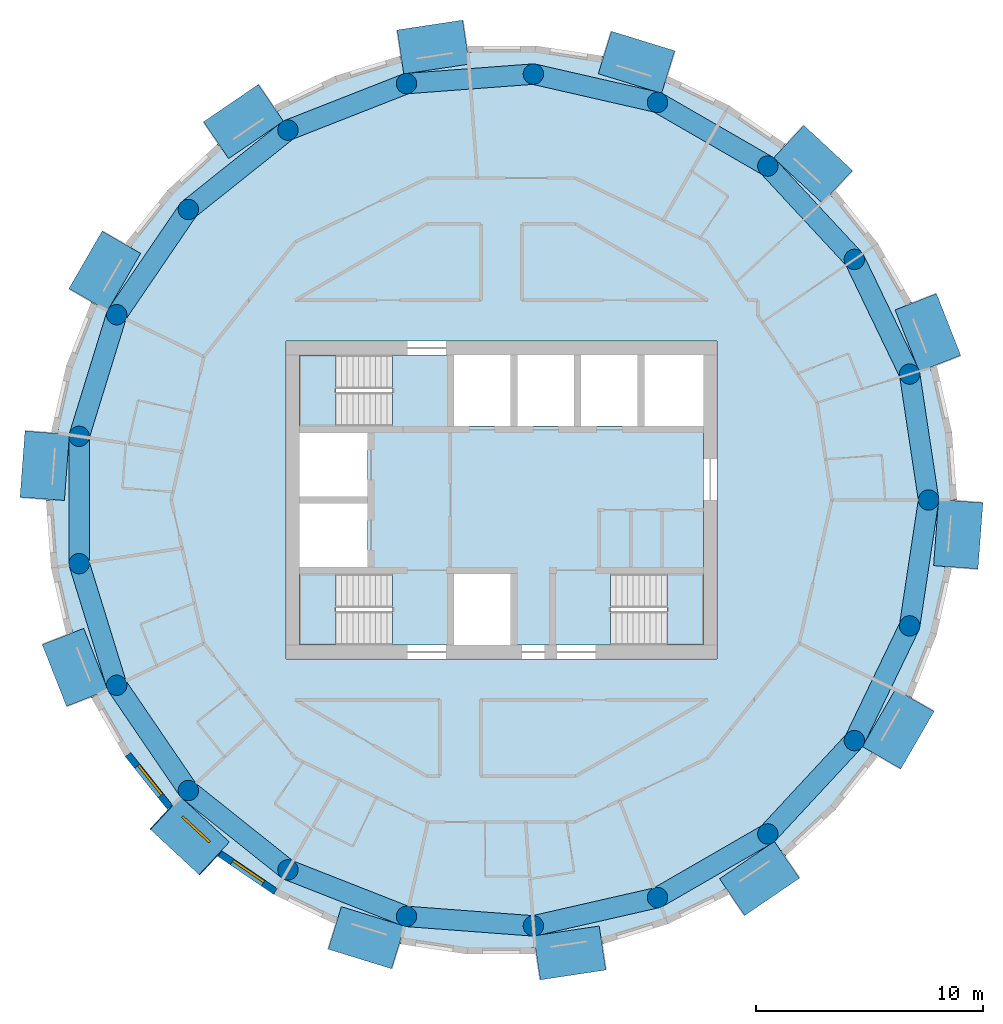
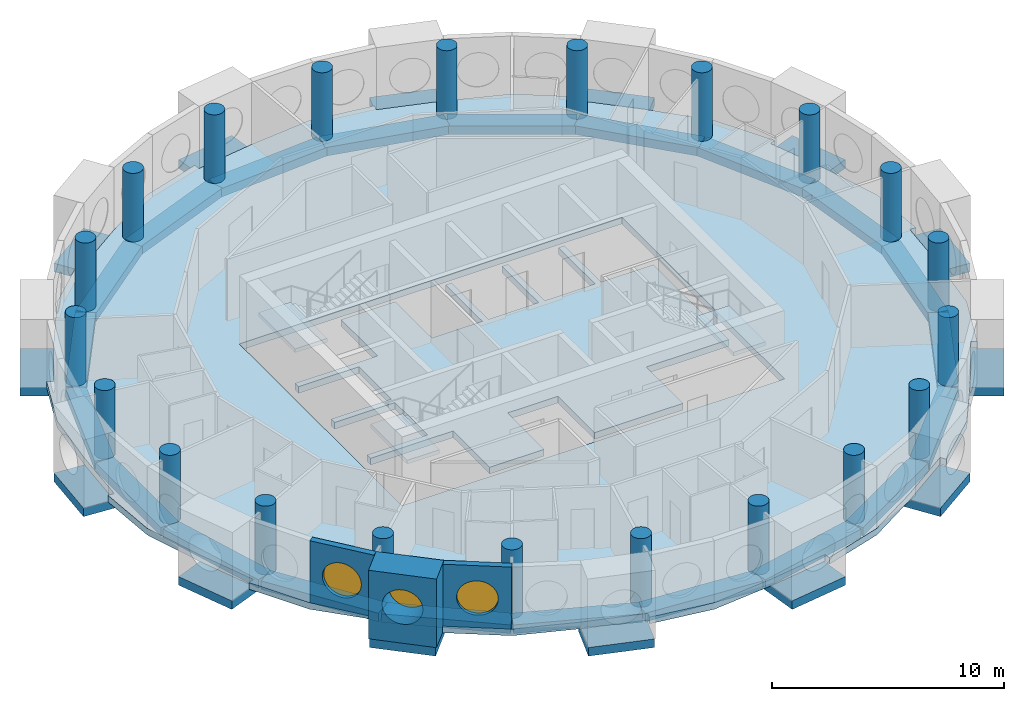
# One storey, part 1 of 12: 35 beams, 21 columns, 5 slabs, 3 walls, 3 windows, 3 openings, 3 elements without a shape of their own.
"""IFC4 building model written with IfcOpenShell, lengths in metres."""

from ifc_helpers import new_model, si_unit, direction, frame, frame_2d, origin, origin_2d, place, context, subcontext, project, spatial, polyline, rectangle, circle, outline, extrude, material, layer, layer_set, material_profile, profile_set, type_object, element, fill, aggregate, save


model = new_model("IFC4")

# Units and contexts
model_context = context("Model", 3, precision=1e-05, world=origin(), true_north=direction((0.0, 1.0)))
body_context = subcontext(model_context, "Body", "Model", "MODEL_VIEW")
ifc_project = project(units=[si_unit("LENGTHUNIT", "METRE"), si_unit("AREAUNIT", "SQUARE_METRE"), si_unit("VOLUMEUNIT", "CUBIC_METRE"), si_unit("PLANEANGLEUNIT", "RADIAN"), si_unit("MASSUNIT", "GRAM", prefix="KILO")], contexts=[model_context])

# Site, building, storey
site_placement = place(None, origin())
site = spatial("IfcSite", under=ifc_project, at=site_placement, CompositionType="ELEMENT")
building_placement = place(site_placement, origin())
building = spatial("IfcBuilding", under=site, at=building_placement, Name="Tracery Tower", CompositionType="ELEMENT")
storey_placement = place(building_placement, frame((0.0, 0.0, 291.0)))
storey = spatial("IfcBuildingStorey", under=building, at=storey_placement, Name="L75", CompositionType="ELEMENT", Elevation=291.0)

# Columns
ifc_material_1 = material(Name="Concrete C40/50", Category="concrete")
ifc_material_profile_1 = material_profile(ifc_material_1, circle(Radius=0.449951171875, at=origin_2d()), Name="RC D900")
ifc_profile_set_1 = profile_set([ifc_material_profile_1], Name="Concrete C40/50")
column_type = type_object("IfcColumnType", Name="Ring 2 column 900", PredefinedType="COLUMN", material=ifc_profile_set_1)
for number, where, z_axis, x_axis, name in (
    (1, (18.822265625, 0.0, 0.0), (0.0, 0.0, 1.0), (1.0, 0.0, 0.0), "Ring 2 column 00 at L75"),
    (2, (17.986083984375, 5.5478515625, 0.0), (0.0, 0.0, 1.0), (1.0, 0.0, 0.0), "Ring 2 column 01 at L75"),
    (3, (15.551513671875, 10.602783203125, 0.0), (0.0, 0.0, 1.0), (1.0, 0.0, 0.0), "Ring 2 column 02 at L75"),
    (4, (11.7353515625, 14.7158203125, 0.0), (0.0, 0.0, 1.0), (1.0, 0.0, 0.0), "Ring 2 column 03 at L75"),
    (5, (6.87646484375, 17.52099609375, 0.0), (0.0, 0.0, 1.0), (1.0, 0.0, 0.0), "Ring 2 column 04 at L75"),
    (6, (1.406494140625, 18.76953125, 0.0), (0.0, 0.0, 1.0), (1.0, 0.0, 0.0), "Ring 2 column 05 at L75"),
    (7, (-4.188232421875, 18.350341796875, 0.0), (0.0, 0.0, 1.0), (1.0, 0.0, 0.0), "Ring 2 column 06 at L75"),
    (8, (-9.4111328125, 16.300537109375, 0.0), (0.0, 0.0, 1.0), (1.0, 0.0, 0.0), "Ring 2 column 07 at L75"),
    (9, (-13.797607421875, 12.802490234375, 0.0), (0.0, 0.0, 1.0), (1.0, 0.0, 0.0), "Ring 2 column 08 at L75"),
    (10, (-16.958251953125, 8.16650390625, 0.0), (0.0, 0.0, 1.0), (1.0, 0.0, 0.0), "Ring 2 column 09 at L75"),
    (11, (-18.612060546875, 2.805419921875, 0.0), (0.0, 0.0, 1.0), (1.0, 0.0, 0.0), "Ring 2 column 10 at L75"),
    (12, (-18.612060546875, -2.805419921875, 0.0), (0.0, 0.0, 1.0), (1.0, 0.0, 0.0), "Ring 2 column 11 at L75"),
    (13, (-16.958251953125, -8.166748046875, 0.0), (0.0, 0.0, 1.0), (1.0, 0.0, 0.0), "Ring 2 column 12 at L75"),
    (14, (-13.797607421875, -12.80224609375, 0.0), (0.0, 0.0, 1.0), (1.0, 0.0, 0.0), "Ring 2 column 13 at L75"),
    (15, (-9.4111328125, -16.300537109375, 0.0), (0.0, 0.0, 1.0), (1.0, 0.0, 0.0), "Ring 2 column 14 at L75"),
    (16, (-4.188232421875, -18.350341796875, 0.0), (0.0, 0.0, 1.0), (1.0, 0.0, 0.0), "Ring 2 column 15 at L75"),
    (17, (1.406494140625, -18.76953125, 0.0), (0.0, 0.0, 1.0), (1.0, 0.0, 0.0), "Ring 2 column 16 at L75"),
    (18, (6.87646484375, -17.52099609375, 0.0), (0.0, 0.0, 1.0), (1.0, 0.0, 0.0), "Ring 2 column 17 at L75"),
    (19, (11.7353515625, -14.7158203125, 0.0), (0.0, 0.0, 1.0), (1.0, 0.0, 0.0), "Ring 2 column 18 at L75"),
    (20, (15.551513671875, -10.602783203125, 0.0), (0.0, 0.0, 1.0), (1.0, 0.0, 0.0), "Ring 2 column 19 at L75"),
    (21, (17.986083984375, -5.5478515625, 0.0), (0.0, 0.0, 1.0), (1.0, 0.0, 0.0), "Ring 2 column 20 at L75"),
):
    element("IfcColumn", number, at=place(storey_placement, frame(where, z_axis=z_axis, x_axis=x_axis)), inside=storey, type_object=column_type, Name=name, PredefinedType="COLUMN", context=body_context, shape_type="SweptSolid", body=[
        extrude(circle(Radius=0.449951171875, at=origin_2d()), origin(), (0.0, 0.0, 1.0), 3.60009765625),
    ])

# Beams
ifc_material_2 = material(Name="Concrete C40/50", Category="concrete")
ifc_material_profile_2 = material_profile(ifc_material_2, rectangle(XDim=1.9599609375, YDim=0.449951171875, at=origin_2d()), Name="RC 1960x450")
ifc_profile_set_2 = profile_set([ifc_material_profile_2], Name="Concrete C40/50")
beam_type_1 = type_object("IfcBeamType", Name="Bay seat beam 1960 x 450", PredefinedType="BEAM", material=ifc_profile_set_2)
for number, where, z_axis, x_axis, name in (
    (22, (19.323974609375, 6.015625, -0.574951171875), (-0.365285021376, 0.930895726254, 0.0), (-0.930895726254, -0.365285021376, 0.0), "Bay seat beam 3 at L75"),
    (23, (14.80029296875, 13.804443359375, -0.574951171875), (-0.733073344016, 0.680149595526, 0.0), (-0.680149595526, -0.733073344016, 0.0), "Bay seat beam 6 at L75"),
):
    element("IfcBeam", number, at=place(storey_placement, frame(where, z_axis=z_axis, x_axis=x_axis)), inside=storey, type_object=beam_type_1, Name=name, PredefinedType="BEAM", context=body_context, shape_type="SweptSolid", body=[
        extrude(rectangle(XDim=1.9599609375, YDim=0.449951171875, at=origin_2d()), origin(), (0.0, 0.0, 1.0), 2.920166015625),
    ])
for number, where, z_axis, x_axis, name in (
    (24, (7.344970703125, 18.85888671875, -0.574951171875), (-0.955550927928, 0.294826091343, 0.0), (-0.294826091343, -0.955550927928, 0.0), "Bay seat beam 9 at L75"),
    (25, (-1.56494140625, 20.17822265625, -0.574951171875), (-0.988824450672, -0.149084559069, 0.0), (0.149084559069, -0.988824450672, 0.0), "Bay seat beam 12 at L75"),
):
    element("IfcBeam", number, at=place(storey_placement, frame(where, z_axis=z_axis, x_axis=x_axis)), inside=storey, type_object=beam_type_1, Name=name, PredefinedType="BEAM", context=body_context, shape_type="SweptSolid", body=[
        extrude(rectangle(XDim=1.9599609375, YDim=0.449951171875, at=origin_2d()), origin(), (0.0, 0.0, 1.0), 2.919921875),
    ])
beam_1_placement = place(storey_placement, frame((-10.164794921875, 17.5009765625, -0.574951171875), z_axis=(-0.826243261144, -0.56331347704, 0.0), x_axis=(0.56331347704, -0.826243261144, 0.0)))
element("IfcBeam", 26, at=beam_1_placement, inside=storey, type_object=beam_type_1, Name="Bay seat beam 15 at L75", PredefinedType="BEAM", context=body_context, shape_type="SweptSolid", body=[
    extrude(rectangle(XDim=1.9599609375, YDim=0.449951171875, at=origin_2d()), origin(), (0.0, 0.0, 1.0), 2.920166015625),
])
for number, where, z_axis, x_axis, name in (
    (27, (-16.751708984375, 11.357421875, -0.574951171875), (-0.49998782916, -0.866032430508, 0.0), (0.866032430508, -0.49998782916, 0.0), "Bay seat beam 18 at L75"),
    (28, (-20.0205078125, 2.96435546875, -0.574951171875), (-0.074746299058, -0.997202582617, 0.0), (0.997202582617, -0.074746299058, 0.0), "Bay seat beam 21 at L75"),
):
    element("IfcBeam", number, at=place(storey_placement, frame(where, z_axis=z_axis, x_axis=x_axis)), inside=storey, type_object=beam_type_1, Name=name, PredefinedType="BEAM", context=body_context, shape_type="SweptSolid", body=[
        extrude(rectangle(XDim=1.9599609375, YDim=0.449951171875, at=origin_2d()), origin(), (0.0, 0.0, 1.0), 2.919921875),
    ])
for number, where, z_axis, x_axis, name in (
    (29, (-19.323974609375, -6.015625, -0.574951171875), (0.365285021376, -0.930895726254, 0.0), (0.930895726254, 0.365285021376, 0.0), "Bay seat beam 24 at L75"),
    (30, (-14.80029296875, -13.804443359375, -0.574951171875), (0.733073344016, -0.680149595526, 0.0), (0.680149595526, 0.733073344016, 0.0), "Bay seat beam 27 at L75"),
):
    element("IfcBeam", number, at=place(storey_placement, frame(where, z_axis=z_axis, x_axis=x_axis)), inside=storey, type_object=beam_type_1, Name=name, PredefinedType="BEAM", context=body_context, shape_type="SweptSolid", body=[
        extrude(rectangle(XDim=1.9599609375, YDim=0.449951171875, at=origin_2d()), origin(), (0.0, 0.0, 1.0), 2.920166015625),
    ])
for number, where, z_axis, x_axis, name in (
    (31, (-7.344970703125, -18.85888671875, -0.574951171875), (0.955550927928, -0.294826091343, 0.0), (0.294826091343, 0.955550927928, 0.0), "Bay seat beam 30 at L75"),
    (32, (1.56494140625, -20.17822265625, -0.574951171875), (0.988824450672, 0.149084559069, 0.0), (-0.149084559069, 0.988824450672, 0.0), "Bay seat beam 33 at L75"),
):
    element("IfcBeam", number, at=place(storey_placement, frame(where, z_axis=z_axis, x_axis=x_axis)), inside=storey, type_object=beam_type_1, Name=name, PredefinedType="BEAM", context=body_context, shape_type="SweptSolid", body=[
        extrude(rectangle(XDim=1.9599609375, YDim=0.449951171875, at=origin_2d()), origin(), (0.0, 0.0, 1.0), 2.919921875),
    ])
beam_2_placement = place(storey_placement, frame((10.164794921875, -17.5009765625, -0.574951171875), z_axis=(0.826243261144, 0.56331347704, 0.0), x_axis=(-0.56331347704, 0.826243261144, 0.0)))
element("IfcBeam", 33, at=beam_2_placement, inside=storey, type_object=beam_type_1, Name="Bay seat beam 36 at L75", PredefinedType="BEAM", context=body_context, shape_type="SweptSolid", body=[
    extrude(rectangle(XDim=1.9599609375, YDim=0.449951171875, at=origin_2d()), origin(), (0.0, 0.0, 1.0), 2.920166015625),
])
for number, where, z_axis, x_axis, name in (
    (34, (16.751708984375, -11.357421875, -0.574951171875), (0.49998782916, 0.866032430508, 0.0), (-0.866032430508, 0.49998782916, 0.0), "Bay seat beam 39 at L75"),
    (35, (20.0205078125, -2.96435546875, -0.574951171875), (0.074746299058, 0.997202582617, 0.0), (-0.997202582617, 0.074746299058, 0.0), "Bay seat beam 42 at L75"),
):
    element("IfcBeam", number, at=place(storey_placement, frame(where, z_axis=z_axis, x_axis=x_axis)), inside=storey, type_object=beam_type_1, Name=name, PredefinedType="BEAM", context=body_context, shape_type="SweptSolid", body=[
        extrude(rectangle(XDim=1.9599609375, YDim=0.449951171875, at=origin_2d()), origin(), (0.0, 0.0, 1.0), 2.919921875),
    ])
ifc_material_3 = material(Name="Concrete C40/50", Category="concrete")
ifc_material_profile_3 = material_profile(ifc_material_3, rectangle(XDim=0.89990234375, YDim=0.449951171875, at=origin_2d()), Name="RC 900x450")
ifc_profile_set_3 = profile_set([ifc_material_profile_3], Name="Concrete C40/50")
beam_type_2 = type_object("IfcBeamType", Name="Perimeter band beam 900x450", PredefinedType="BEAM", material=ifc_profile_set_3)
for number, where, z_axis, x_axis, name in (
    (36, (18.822265625, 0.0, -0.574951171875), (-0.149038355855, 0.988831415603, 0.0), (-0.988831415603, -0.149038355855, 0.0), "Perimeter beam 2.00 under L75"),
    (37, (17.986083984375, 5.5478515625, -0.574951171875), (-0.433918973155, 0.900951899235, 0.0), (-0.900951899235, -0.433918973155, 0.0), "Perimeter beam 2.01 under L75"),
):
    element("IfcBeam", number, at=place(storey_placement, frame(where, z_axis=z_axis, x_axis=x_axis)), inside=storey, type_object=beam_type_2, Name=name, PredefinedType="BEAM", context=body_context, shape_type="SweptSolid", body=[
        extrude(rectangle(XDim=0.89990234375, YDim=0.449951171875, at=origin_2d()), origin(), (0.0, 0.0, 1.0), 5.610595703125),
    ])
beam_3_placement = place(storey_placement, frame((15.551513671875, 10.602783203125, -0.574951171875), z_axis=(-0.680155630824, 0.733067744386, 0.0), x_axis=(-0.733067744386, -0.680155630824, 0.0)))
element("IfcBeam", 38, at=beam_3_placement, inside=storey, type_object=beam_type_2, Name="Perimeter beam 2.02 under L75", PredefinedType="BEAM", context=body_context, shape_type="SweptSolid", body=[
    extrude(rectangle(XDim=0.89990234375, YDim=0.449951171875, at=origin_2d()), origin(), (0.0, 0.0, 1.0), 5.61083984375),
])
for number, where, z_axis, x_axis, name in (
    (39, (11.7353515625, 14.7158203125, -0.574951171875), (-0.866033412818, 0.49998612769, 0.0), (-0.49998612769, -0.866033412818, 0.0), "Perimeter beam 2.03 under L75"),
    (40, (6.87646484375, 17.52099609375, -0.574951171875), (-0.974925977366, 0.222529410768, 0.0), (-0.222529410768, -0.974925977366, 0.0), "Perimeter beam 2.04 under L75"),
):
    element("IfcBeam", number, at=place(storey_placement, frame(where, z_axis=z_axis, x_axis=x_axis)), inside=storey, type_object=beam_type_2, Name=name, PredefinedType="BEAM", context=body_context, shape_type="SweptSolid", body=[
        extrude(rectangle(XDim=0.89990234375, YDim=0.449951171875, at=origin_2d()), origin(), (0.0, 0.0, 1.0), 5.610595703125),
    ])
beam_4_placement = place(storey_placement, frame((1.406494140625, 18.76953125, -0.574951171875), z_axis=(-0.997204824387, -0.07471638521, 0.0), x_axis=(0.07471638521, -0.997204824387, 0.0)))
element("IfcBeam", 41, at=beam_4_placement, inside=storey, type_object=beam_type_2, Name="Perimeter beam 2.05 under L75", PredefinedType="BEAM", context=body_context, shape_type="SweptSolid", body=[
    extrude(rectangle(XDim=0.89990234375, YDim=0.449951171875, at=origin_2d()), origin(), (0.0, 0.0, 1.0), 5.6103515625),
])
beam_5_placement = place(storey_placement, frame((-4.188232421875, 18.350341796875, -0.574951171875), z_axis=(-0.930875728468, -0.365335979817, 0.0), x_axis=(0.365335979817, -0.930875728468, 0.0)))
element("IfcBeam", 42, at=beam_5_placement, inside=storey, type_object=beam_type_2, Name="Perimeter beam 2.06 under L75", PredefinedType="BEAM", context=body_context, shape_type="SweptSolid", body=[
    extrude(rectangle(XDim=0.89990234375, YDim=0.449951171875, at=origin_2d()), origin(), (0.0, 0.0, 1.0), 5.61083984375),
])
beam_6_placement = place(storey_placement, frame((-9.4111328125, 16.300537109375, -0.574951171875), z_axis=(-0.781835817725, -0.623484365579, 0.0), x_axis=(0.623484365579, -0.781835817725, 0.0)))
element("IfcBeam", 43, at=beam_6_placement, inside=storey, type_object=beam_type_2, Name="Perimeter beam 2.07 under L75", PredefinedType="BEAM", context=body_context, shape_type="SweptSolid", body=[
    extrude(rectangle(XDim=0.89990234375, YDim=0.449951171875, at=origin_2d()), origin(), (0.0, 0.0, 1.0), 5.610595703125),
])
beam_7_placement = place(storey_placement, frame((-13.797607421875, 12.802490234375, -0.574951171875), z_axis=(-0.563305770578, -0.826248515178, 0.0), x_axis=(0.826248515178, -0.563305770578, 0.0)))
element("IfcBeam", 44, at=beam_7_placement, inside=storey, type_object=beam_type_2, Name="Perimeter beam 2.08 under L75", PredefinedType="BEAM", context=body_context, shape_type="SweptSolid", body=[
    extrude(rectangle(XDim=0.89990234375, YDim=0.449951171875, at=origin_2d()), origin(), (0.0, 0.0, 1.0), 5.61083984375),
])
beam_8_placement = place(storey_placement, frame((-16.958251953125, 8.16650390625, -0.574951171875), z_axis=(-0.294776851839, -0.955566118916, 0.0), x_axis=(0.955566118916, -0.294776851839, 0.0)))
element("IfcBeam", 45, at=beam_8_placement, inside=storey, type_object=beam_type_2, Name="Perimeter beam 2.09 under L75", PredefinedType="BEAM", context=body_context, shape_type="SweptSolid", body=[
    extrude(rectangle(XDim=0.89990234375, YDim=0.449951171875, at=origin_2d()), origin(), (0.0, 0.0, 1.0), 5.6103515625),
])
beam_9_placement = place(storey_placement, frame((-18.612060546875, 2.805419921875, -0.574951171875), z_axis=(0.0, -1.0, 0.0), x_axis=(1.0, 0.0, 0.0)))
element("IfcBeam", 46, at=beam_9_placement, inside=storey, type_object=beam_type_2, Name="Perimeter beam 2.10 under L75", PredefinedType="BEAM", context=body_context, shape_type="SweptSolid", body=[
    extrude(rectangle(XDim=0.89990234375, YDim=0.449951171875, at=origin_2d()), origin(), (0.0, 0.0, 1.0), 5.61083984375),
])
for number, where, z_axis, x_axis, name in (
    (47, (-18.612060546875, -2.805419921875, -0.574951171875), (0.294764594813, -0.955569899926, 0.0), (0.955569899926, 0.294764594813, 0.0), "Perimeter beam 2.11 under L75"),
    (48, (-16.958251953125, -8.166748046875, -0.574951171875), (0.5633462764, -0.826220898348, 0.0), (0.826220898348, 0.5633462764, 0.0), "Perimeter beam 2.12 under L75"),
    (49, (-13.797607421875, -12.80224609375, -0.574951171875), (0.781814605872, -0.623510963853, 0.0), (0.623510963853, 0.781814605872, 0.0), "Perimeter beam 2.13 under L75"),
):
    element("IfcBeam", number, at=place(storey_placement, frame(where, z_axis=z_axis, x_axis=x_axis)), inside=storey, type_object=beam_type_2, Name=name, PredefinedType="BEAM", context=body_context, shape_type="SweptSolid", body=[
        extrude(rectangle(XDim=0.89990234375, YDim=0.449951171875, at=origin_2d()), origin(), (0.0, 0.0, 1.0), 5.610595703125),
    ])
beam_10_placement = place(storey_placement, frame((-9.4111328125, -16.300537109375, -0.574951171875), z_axis=(0.930875728468, -0.365335979817, 0.0), x_axis=(0.365335979817, 0.930875728468, 0.0)))
element("IfcBeam", 50, at=beam_10_placement, inside=storey, type_object=beam_type_2, Name="Perimeter beam 2.14 under L75", PredefinedType="BEAM", context=body_context, shape_type="SweptSolid", body=[
    extrude(rectangle(XDim=0.89990234375, YDim=0.449951171875, at=origin_2d()), origin(), (0.0, 0.0, 1.0), 5.61083984375),
])
beam_11_placement = place(storey_placement, frame((-4.188232421875, -18.350341796875, -0.574951171875), z_axis=(0.997204824387, -0.07471638521, 0.0), x_axis=(0.07471638521, 0.997204824387, 0.0)))
element("IfcBeam", 51, at=beam_11_placement, inside=storey, type_object=beam_type_2, Name="Perimeter beam 2.15 under L75", PredefinedType="BEAM", context=body_context, shape_type="SweptSolid", body=[
    extrude(rectangle(XDim=0.89990234375, YDim=0.449951171875, at=origin_2d()), origin(), (0.0, 0.0, 1.0), 5.6103515625),
])
for number, where, z_axis, x_axis, name in (
    (52, (1.406494140625, -18.76953125, -0.574951171875), (0.974925977366, 0.222529410768, 0.0), (-0.222529410768, 0.974925977366, 0.0), "Perimeter beam 2.16 under L75"),
    (53, (6.87646484375, -17.52099609375, -0.574951171875), (0.866033412818, 0.49998612769, 0.0), (-0.49998612769, 0.866033412818, 0.0), "Perimeter beam 2.17 under L75"),
):
    element("IfcBeam", number, at=place(storey_placement, frame(where, z_axis=z_axis, x_axis=x_axis)), inside=storey, type_object=beam_type_2, Name=name, PredefinedType="BEAM", context=body_context, shape_type="SweptSolid", body=[
        extrude(rectangle(XDim=0.89990234375, YDim=0.449951171875, at=origin_2d()), origin(), (0.0, 0.0, 1.0), 5.610595703125),
    ])
beam_12_placement = place(storey_placement, frame((11.7353515625, -14.7158203125, -0.574951171875), z_axis=(0.680155630824, 0.733067744386, 0.0), x_axis=(-0.733067744386, 0.680155630824, 0.0)))
element("IfcBeam", 54, at=beam_12_placement, inside=storey, type_object=beam_type_2, Name="Perimeter beam 2.18 under L75", PredefinedType="BEAM", context=body_context, shape_type="SweptSolid", body=[
    extrude(rectangle(XDim=0.89990234375, YDim=0.449951171875, at=origin_2d()), origin(), (0.0, 0.0, 1.0), 5.61083984375),
])
for number, where, z_axis, x_axis, name in (
    (55, (15.551513671875, -10.602783203125, -0.574951171875), (0.433918973155, 0.900951899235, 0.0), (-0.900951899235, 0.433918973155, 0.0), "Perimeter beam 2.19 under L75"),
    (56, (17.986083984375, -5.5478515625, -0.574951171875), (0.149038355855, 0.988831415603, 0.0), (-0.988831415603, 0.149038355855, 0.0), "Perimeter beam 2.20 under L75"),
):
    element("IfcBeam", number, at=place(storey_placement, frame(where, z_axis=z_axis, x_axis=x_axis)), inside=storey, type_object=beam_type_2, Name=name, PredefinedType="BEAM", context=body_context, shape_type="SweptSolid", body=[
        extrude(rectangle(XDim=0.89990234375, YDim=0.449951171875, at=origin_2d()), origin(), (0.0, 0.0, 1.0), 5.610595703125),
    ])

# Slabs
ifc_material_4 = material(Name="Concrete C40/50", Category="concrete")
ifc_layer_1 = layer(ifc_material_4, 0.35009765625)
ifc_layer_set_1 = layer_set([ifc_layer_1], Name="Core floor slab 350 C40")
slab_type_1 = type_object("IfcSlabType", Name="Core floor slab 350 C40", PredefinedType="FLOOR", material=ifc_layer_set_1)
slab_1_placement = place(storey_placement, frame((0.0, 0.0, -0.35009765625)))
element("IfcSlab", 57, at=slab_1_placement, inside=storey, type_object=slab_type_1, Name="L75 core floor 1", PredefinedType="FLOOR", context=body_context, shape_type="SweptSolid", body=[
    extrude(outline(polyline([(-4.800537109375, -3.25), (-8.89990234375, -3.25), (-8.89990234375, -2.949951171875), (-5.89990234375, -2.949951171875), (-5.89990234375, -0.14990234375), (-8.89990234375, -0.14990234375), (-8.89990234375, 0.14990234375), (-5.89990234375, 0.14990234375), (-5.89990234375, 2.949951171875), (-8.89990234375, 2.949951171875), (-8.89990234375, 3.25), (-4.800537109375, 3.25), (-4.800537109375, 6.39990234375), (-2.10009765625, 6.39990234375), (-2.10009765625, 3.25), (0.39990234375, 3.25), (0.39990234375, 6.39990234375), (0.699951171875, 6.39990234375), (0.699951171875, 3.25), (3.199951171875, 3.25), (3.199951171875, 6.39990234375), (3.5, 6.39990234375), (3.5, 3.25), (6.0, 3.25), (6.0, 6.39990234375), (6.300048828125, 6.39990234375), (6.300048828125, 3.25), (8.89990234375, 3.25), (8.89990234375, -3.25), (4.800537109375, -3.25), (4.800537109375, -6.39990234375), (0.39990234375, -6.39990234375), (0.39990234375, -3.25), (-2.10009765625, -3.25), (-2.10009765625, -6.39990234375), (-4.800537109375, -6.39990234375), (-4.800537109375, -3.25)])), origin(), (0.0, 0.0, 1.0), 0.35009765625),
])
ifc_material_5 = material(Name="Concrete C40/50", Category="concrete")
ifc_layer_2 = layer(ifc_material_5, 0.35009765625)
ifc_layer_set_2 = layer_set([ifc_layer_2], Name="Floor slab 350")
slab_type_2 = type_object("IfcSlabType", Name="Floor slab 350", PredefinedType="FLOOR", material=ifc_layer_set_2)
slab_2_placement = place(storey_placement, frame((0.0, 0.0, -0.35009765625)))
element("IfcSlab", 58, at=slab_2_placement, inside=storey, type_object=slab_type_2, Name="Floor slab L75", PredefinedType="FLOOR", context=body_context, shape_type="SweptSolid", body=[
    extrude(outline(polyline([(18.89306640625, 5.827392578125), (17.80517578125, 8.599365234375), (18.084228515625, 8.708984375), (18.08447265625, 8.708984375), (16.58447265625, 11.30712890625), (14.493408203125, 13.447998046875), (12.3271484375, 15.4580078125), (12.3271484375, 15.4580078125), (12.310791015625, 15.47314453125), (12.5146484375, 15.69287109375), (12.514892578125, 15.693115234375), (10.0361328125, 17.383056640625), (7.223388671875, 18.404541015625), (4.3994140625, 19.275634765625), (4.3994140625, 19.275634765625), (4.378173828125, 19.2822265625), (4.466552734375, 19.56884765625), (1.5, 20.01611328125), (-1.47705078125, 19.716064453125), (-2.3466796875, 19.585205078125), (-4.3994140625, 19.275634765625), (-4.3994140625, 19.275634765625), (-4.421875, 19.272216796875), (-4.46630859375, 19.568603515625), (-4.466552734375, 19.56884765625), (-7.333251953125, 18.684814453125), (-9.885498046875, 17.12255859375), (-12.345703125, 15.4453125), (-12.514892578125, 15.693115234375), (-14.714111328125, 13.652587890625), (-16.335693359375, 11.13818359375), (-17.82470703125, 8.55908203125), (-18.08447265625, 8.708984375), (-19.180419921875, 5.91650390625), (-19.550537109375, 2.94677734375), (-19.63720703125, 1.789306640625), (-19.77294921875, -0.0224609375), (-20.072265625, 0.0), (-20.072265625, 0.0), (-19.847900390625, -2.99169921875), (-18.89306640625, -5.827392578125), (-17.80517578125, -8.599365234375), (-18.084228515625, -8.708984375), (-18.08447265625, -8.708984375), (-16.58447265625, -11.30712890625), (-14.493408203125, -13.447998046875), (-12.3271484375, -15.4580078125), (-12.3271484375, -15.4580078125), (-12.310791015625, -15.47314453125), (-12.5146484375, -15.69287109375), (-12.514892578125, -15.693115234375), (-10.0361328125, -17.383056640625), (-7.223388671875, -18.404541015625), (-4.3994140625, -19.275634765625), (-4.3994140625, -19.275634765625), (-4.378173828125, -19.2822265625), (-4.466552734375, -19.56884765625), (-1.5, -20.01611328125), (1.47705078125, -19.716064453125), (2.3466796875, -19.585205078125), (4.3994140625, -19.275634765625), (4.3994140625, -19.275634765625), (4.421875, -19.272216796875), (4.46630859375, -19.568603515625), (4.466552734375, -19.56884765625), (7.333251953125, -18.684814453125), (9.885498046875, -17.12255859375), (12.345703125, -15.4453125), (12.514892578125, -15.693115234375), (14.714111328125, -13.652587890625), (16.335693359375, -11.13818359375), (17.82470703125, -8.55908203125), (18.08447265625, -8.708984375), (19.180419921875, -5.91650390625), (19.550537109375, -2.94677734375), (19.63720703125, -1.789306640625), (19.77294921875, 0.0224609375), (20.072265625, 0.0), (19.847900390625, 2.99169921875), (18.89306640625, 5.827392578125)]), holes=[polyline([(-9.5, -7.0), (9.5, -7.0), (9.5, 7.0), (-9.5, 7.0), (-9.5, -7.0)])]), origin(), (0.0, 0.0, 1.0), 0.35009765625),
])

# Stair, slab
ifc_material_6 = material(Name="Concrete C32/40", Category="concrete")
stair_type = type_object("IfcStairType", Name="Core stair 22 risers", PredefinedType="HALF_TURN_STAIR", material=ifc_material_6)
stair_1_placement = place(storey_placement, origin())
stair_1 = element("IfcStair", 59, at=stair_1_placement, inside=storey, type_object=stair_type, Name="L75 stair ST1", PredefinedType="HALF_TURN_STAIR")
ifc_material_7 = material(Name="Concrete C32/40", Category="concrete")
ifc_layer_3 = layer(ifc_material_7, 0.199951171875)
ifc_layer_set_3 = layer_set([ifc_layer_3], Name="Stair landing slab 200")
slab_type_3 = type_object("IfcSlabType", Name="Stair landing slab 200", PredefinedType="LANDING", material=ifc_layer_set_3)
slab_3_placement = place(storey_placement, frame((0.0, 0.0, 1.60009765625)))
slab_3 = element("IfcSlab", 60, at=slab_3_placement, type_object=slab_type_3, Name="ST1 landing 1", PredefinedType="LANDING", context=body_context, shape_type="SweptSolid", body=[
    extrude(outline(polyline([(-7.29931640625, -3.25), (-8.89990234375, -3.25), (-8.89990234375, -6.39990234375), (-7.29931640625, -6.39990234375), (-7.29931640625, -3.25)])), origin(), (0.0, 0.0, 1.0), 0.199951171875),
])
aggregate(stair_1, [slab_3])

stair_2_placement = place(storey_placement, origin())
stair_2 = element("IfcStair", 61, at=stair_2_placement, inside=storey, type_object=stair_type, Name="L75 stair ST3", PredefinedType="HALF_TURN_STAIR")
slab_4_placement = place(storey_placement, frame((0.0, 0.0, 1.60009765625)))
slab_4 = element("IfcSlab", 62, at=slab_4_placement, type_object=slab_type_3, Name="ST3 landing 1", PredefinedType="LANDING", context=body_context, shape_type="SweptSolid", body=[
    extrude(outline(polyline([(-7.29931640625, 6.39990234375), (-8.89990234375, 6.39990234375), (-8.89990234375, 3.25), (-7.29931640625, 3.25), (-7.29931640625, 6.39990234375)])), origin(), (0.0, 0.0, 1.0), 0.199951171875),
])
aggregate(stair_2, [slab_4])

stair_3_placement = place(storey_placement, origin())
stair_3 = element("IfcStair", 63, at=stair_3_placement, inside=storey, type_object=stair_type, Name="L75 stair ST2", PredefinedType="HALF_TURN_STAIR")
slab_5_placement = place(storey_placement, frame((0.0, 0.0, 1.60009765625)))
slab_5 = element("IfcSlab", 64, at=slab_5_placement, type_object=slab_type_3, Name="ST2 landing 1", PredefinedType="LANDING", context=body_context, shape_type="SweptSolid", body=[
    extrude(outline(polyline([(7.29931640625, -6.39990234375), (8.89990234375, -6.39990234375), (8.89990234375, -3.25), (7.29931640625, -3.25), (7.29931640625, -6.39990234375)])), origin(), (0.0, 0.0, 1.0), 0.199951171875),
])
aggregate(stair_3, [slab_5])

# Wall, opening, window
ifc_material_8 = material(Name="Precast concrete C50/60", Category="concrete")
ifc_layer_4 = layer(ifc_material_8, 1.449951171875)
ifc_layer_set_4 = layer_set([ifc_layer_4], Name="Deep-set bay unit 3000 x 3600, slab edge 350")
wall_type_1 = type_object("IfcWallType", Name="Deep-set bay unit 3000 x 3600, slab edge 350", PredefinedType="ELEMENTEDWALL", material=ifc_layer_set_4)
wall_1_placement = place(storey_placement, frame((-15.0029296875, -13.964111328125, -0.35009765625), z_axis=(0.0, 0.0, 1.0), x_axis=(0.733022439167, -0.680204457261, 0.0)))
wall_1 = element("IfcWall", 65, at=wall_1_placement, inside=storey, type_object=wall_type_1, Name="Deep-set bay unit 27 at L75", PredefinedType="ELEMENTEDWALL", context=body_context, shape_type="SweptSolid", body=[
    extrude(rectangle(XDim=2.999755859375, YDim=1.449951171875, at=frame_2d((1.5, 0.0))), origin(), (0.0, 0.0, 1.0), 3.60009765625),
])
opening_1_placement = place(wall_1_placement, frame((1.5, 0.0, 1.89990234375)))
opening_1 = element("IfcOpeningElement", 66, at=opening_1_placement, cuts=wall_1, Name="Opening WN1", PredefinedType="OPENING", context=body_context, shape_type="SweptSolid", body=[
    extrude(circle(Radius=0.9000244140625, at=origin_2d()), frame((0.0, 0.73486328125, 0.0), z_axis=(0.0, -1.0, 0.0), x_axis=(1.0, 0.0, 0.0)), (0.0, 0.0, 1.0), 1.469970703125),
])
ifc_material_9 = material(Name="Aluminium frame with tinted double glazing", Category="aluminium")
window_type = type_object("IfcWindowType", Name="Round window 1800", PartitioningType="SINGLE_PANEL", PredefinedType="WINDOW", material=ifc_material_9)
window_1_placement = place(opening_1_placement, origin())
window_1 = element("IfcWindow", 67, at=window_1_placement, inside=storey, type_object=window_type, Name="Round window 27 at L75", OverallHeight=1.800048828125, OverallWidth=1.800048828125, PartitioningType="SINGLE_PANEL", PredefinedType="WINDOW", context=body_context, shape_type="SweptSolid", body=[
    extrude(circle(Radius=0.9000244140625, at=origin_2d()), frame((0.0, 0.69482421875, 0.0), z_axis=(0.0, -1.0, 0.0), x_axis=(1.0, 0.0, 0.0)), (0.0, 0.0, 1.0), 0.10009765625),
])
fill(opening_1, window_1)

ifc_material_10 = material(Name="Precast concrete C50/60", Category="concrete")
ifc_layer_5 = layer(ifc_material_10, 0.300048828125)
ifc_layer_set_5 = layer_set([ifc_layer_5], Name="Facade panel 3000 x 3250")
wall_type_2 = type_object("IfcWallType", Name="Facade panel 3000 x 3250", PredefinedType="SOLIDWALL", material=ifc_layer_set_5)
wall_2_placement = place(storey_placement, frame((-16.460205078125, -11.222412109375, 0.0), z_axis=(0.0, 0.0, 1.0), x_axis=(0.623498236992, -0.781824755599, 0.0)))
wall_2 = element("IfcWall", 68, at=wall_2_placement, inside=storey, type_object=wall_type_2, Name="Facade panel 26 at L75", PredefinedType="SOLIDWALL", context=body_context, shape_type="SweptSolid", body=[
    extrude(rectangle(XDim=2.962158203125, YDim=0.300048828125, at=frame_2d((1.48095703125, 0.0))), origin(), (0.0, 0.0, 1.0), 3.25),
])
opening_2_placement = place(wall_2_placement, frame((1.48095703125, 0.0, 1.5498046875)))
opening_2 = element("IfcOpeningElement", 69, at=opening_2_placement, cuts=wall_2, Name="Opening WN1", PredefinedType="OPENING", context=body_context, shape_type="SweptSolid", body=[
    extrude(circle(Radius=0.9000244140625, at=origin_2d()), frame((0.0, 0.159912109375, 0.0), z_axis=(0.0, -1.0, 0.0), x_axis=(1.0, 0.0, 0.0)), (0.0, 0.0, 1.0), 0.320068359375),
])
window_2_placement = place(opening_2_placement, origin())
window_2 = element("IfcWindow", 70, at=window_2_placement, inside=storey, type_object=window_type, Name="Round window 26 at L75", OverallHeight=1.800048828125, OverallWidth=1.800048828125, PartitioningType="SINGLE_PANEL", PredefinedType="WINDOW", context=body_context, shape_type="SweptSolid", body=[
    extrude(circle(Radius=0.9000244140625, at=origin_2d()), frame((0.0, 0.1201171875, 0.0), z_axis=(0.0, -1.0, 0.0), x_axis=(1.0, 0.0, 0.0)), (0.0, 0.0, 1.0), 0.10009765625),
])
fill(opening_2, window_2)

wall_3_placement = place(storey_placement, frame((-12.408447265625, -15.583984375, 0.0), z_axis=(0.0, 0.0, 1.0), x_axis=(0.826236061068, -0.563324037646, 0.0)))
wall_3 = element("IfcWall", 71, at=wall_3_placement, inside=storey, type_object=wall_type_2, Name="Facade panel 28 at L75", PredefinedType="SOLIDWALL", context=body_context, shape_type="SweptSolid", body=[
    extrude(rectangle(XDim=2.962158203125, YDim=0.300048828125, at=frame_2d((1.48095703125, 0.0))), origin(), (0.0, 0.0, 1.0), 3.25),
])
opening_3_placement = place(wall_3_placement, frame((1.48095703125, 0.0, 1.5498046875)))
opening_3 = element("IfcOpeningElement", 72, at=opening_3_placement, cuts=wall_3, Name="Opening WN1", PredefinedType="OPENING", context=body_context, shape_type="SweptSolid", body=[
    extrude(circle(Radius=0.9000244140625, at=origin_2d()), frame((0.0, 0.159912109375, 0.0), z_axis=(0.0, -1.0, 0.0), x_axis=(1.0, 0.0, 0.0)), (0.0, 0.0, 1.0), 0.320068359375),
])
window_3_placement = place(opening_3_placement, origin())
window_3 = element("IfcWindow", 73, at=window_3_placement, inside=storey, type_object=window_type, Name="Round window 28 at L75", OverallHeight=1.800048828125, OverallWidth=1.800048828125, PartitioningType="SINGLE_PANEL", PredefinedType="WINDOW", context=body_context, shape_type="SweptSolid", body=[
    extrude(circle(Radius=0.9000244140625, at=origin_2d()), frame((0.0, 0.1201171875, 0.0), z_axis=(0.0, -1.0, 0.0), x_axis=(1.0, 0.0, 0.0)), (0.0, 0.0, 1.0), 0.10009765625),
])
fill(opening_3, window_3)

save(model, "model.ifc")
